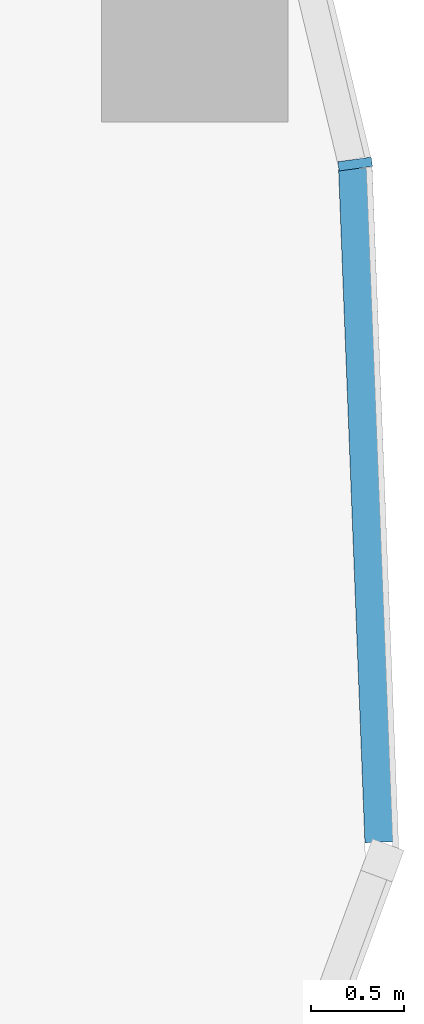
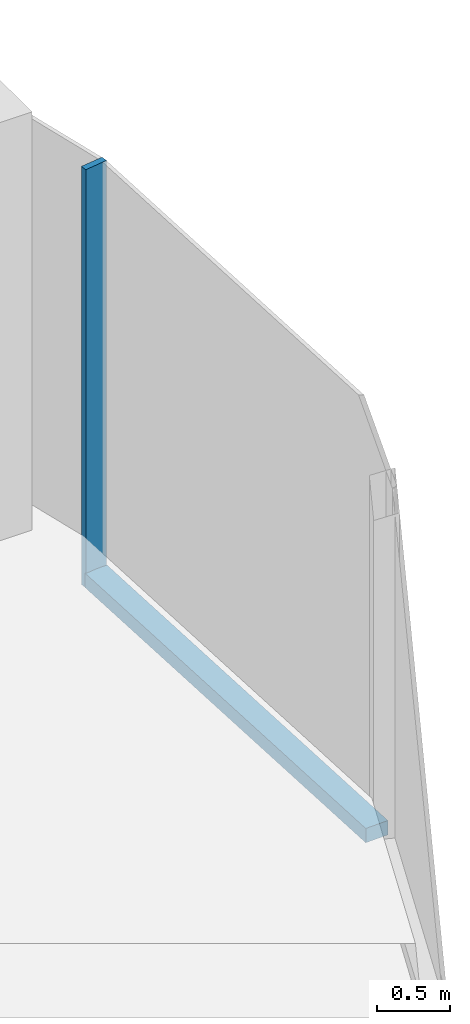
# One storey, part 7 of 25: 2 members, 1 element without a shape of its own.
"""IFC4 building model written with IfcOpenShell, lengths in metres."""

import ifcopenshell
import ifcopenshell.guid

model = None  # the IFC model being written
_history = None  # IfcOwnerHistory: only IFC2X3 demands one
_inside = {}  # id of a spatial element -> (the spatial element, [elements in it])
_under = {}  # id of a project, library or spatial element -> (it, [spatial elements below it])
_declared = {}  # id of a project -> (the project, [libraries it declares])
_typed = {}  # id of a type object -> (the type object, [elements of that type])
_made_of = {}  # id of a material, layer set ... -> (it, [elements and type objects made of it])


def new_model(schema):
    """Start an empty IFC model of exactly this schema.

    Asked for "IFC4X3", IfcOpenShell would pick the latest addendum, in which some entities
    have other attributes; the version numbers below select the first issue.
    IFC2X3 requires an IfcOwnerHistory on every rooted entity: one is made here for all.
    """
    global model, _history
    if schema == "IFC4X3":
        model = ifcopenshell.file(schema_version=(4, 3, 0, 0))
    else:
        model = ifcopenshell.file(schema=schema)
    _inside.clear()
    _under.clear()
    _declared.clear()
    _typed.clear()
    _made_of.clear()
    _history = None
    if model.schema == "IFC2X3":
        org = make("IfcOrganization", Name="unknown")
        user = make(
            "IfcPersonAndOrganization",
            ThePerson=make("IfcPerson", FamilyName="unknown"),
            TheOrganization=org,
        )
        app = make(
            "IfcApplication",
            ApplicationDeveloper=org,
            Version="unknown",
            ApplicationFullName="unknown",
            ApplicationIdentifier="unknown",
        )
        _history = make(
            "IfcOwnerHistory",
            OwningUser=user,
            OwningApplication=app,
            ChangeAction="ADDED",
            CreationDate=0,
        )
    return model


def make(cls, **values):
    """One entity of the class cls with the attributes given. An attribute that is None is left unset."""
    return model.create_entity(
        cls, **{name: value for name, value in values.items() if value is not None}
    )


def rooted(cls, **values):
    """An entity with a GlobalId (a new one), such as an element, a storey or a relation."""
    return make(cls, GlobalId=ifcopenshell.guid.new(), OwnerHistory=_history, **values)


def si_unit(unit_type, name, prefix=None):
    """IfcSIUnit, for example si_unit("LENGTHUNIT", "METRE", prefix="MILLI")."""
    return make("IfcSIUnit", UnitType=unit_type, Prefix=prefix, Name=name)


def assignment(units):
    """IfcUnitAssignment: the units of a project."""
    return None if units is None else make("IfcUnitAssignment", Units=units)


def point(xyz):
    """IfcCartesianPoint."""
    return None if xyz is None else make("IfcCartesianPoint", Coordinates=xyz)


def direction(xyz):
    """IfcDirection."""
    return None if xyz is None else make("IfcDirection", DirectionRatios=xyz)


def frame(location, z_axis=None, x_axis=None):
    """IfcAxis2Placement3D, a coordinate frame: its origin and axes. An axis left out is left unset."""
    return make(
        "IfcAxis2Placement3D",
        Location=point(location),
        Axis=direction(z_axis),
        RefDirection=direction(x_axis),
    )


def frame_2d(location, x_axis=None):
    """IfcAxis2Placement2D, a coordinate frame in the plane: its origin and x axis."""
    return make(
        "IfcAxis2Placement2D", Location=point(location), RefDirection=direction(x_axis)
    )


def origin():
    """The frame at (0, 0, 0) with its axes left unset."""
    return frame((0.0, 0.0, 0.0))


def origin_2d():
    """The frame at (0, 0) in the plane with its x axis left unset."""
    return frame_2d((0.0, 0.0))


def place(relative_to, where):
    """IfcLocalPlacement: puts the frame where relative to a parent placement (None: the world)."""
    return make(
        "IfcLocalPlacement", PlacementRelTo=relative_to, RelativePlacement=where
    )


def context(
    kind, dimensions, precision=None, world=None, true_north=None, identifier=None
):
    """IfcGeometricRepresentationContext, for example the 3D "Model" context."""
    return make(
        "IfcGeometricRepresentationContext",
        ContextIdentifier=identifier,
        ContextType=kind,
        CoordinateSpaceDimension=dimensions,
        Precision=precision,
        WorldCoordinateSystem=world,
        TrueNorth=true_north,
    )


def subcontext(parent, identifier, kind, view, scale=None):
    """IfcGeometricRepresentationSubContext, for example "Body" below "Model"."""
    return make(
        "IfcGeometricRepresentationSubContext",
        ContextIdentifier=identifier,
        ContextType=kind,
        ParentContext=parent,
        TargetScale=scale,
        TargetView=view,
    )


def project(units=None, contexts=None):
    """IfcProject with its units and contexts."""
    return rooted(
        "IfcProject",
        Name="project",
        RepresentationContexts=contexts,
        UnitsInContext=assignment(units),
    )


def spatial(cls, under=None, at=None, **own):
    """A site, building, storey or space (cls), placed at a placement, below another one or the project."""
    s = rooted(cls, ObjectPlacement=at, **own)
    if under is not None:
        _under.setdefault(under.id(), (under, []))[1].append(s)
    return s


def profile(cls, at=None, kind="AREA", **sizes):
    """A parametric profile (cls). Its sizes go by their IFC names, for example OverallWidth=200.0."""
    return make(cls, ProfileType=kind, Position=at, **sizes)


def rectangle(**sizes):
    """IfcRectangleProfileDef."""
    return profile("IfcRectangleProfileDef", **sizes)


def extrude(swept, where, along, depth):
    """IfcExtrudedAreaSolid: the profile swept, set in the frame where, extruded along a direction by depth."""
    return make(
        "IfcExtrudedAreaSolid",
        SweptArea=swept,
        Position=where,
        ExtrudedDirection=direction(along),
        Depth=depth,
    )


def shape(context_of_items, identifier, shape_type, items):
    """IfcShapeRepresentation: the items that make up one representation, for example the "Body"."""
    return make(
        "IfcShapeRepresentation",
        ContextOfItems=context_of_items,
        RepresentationIdentifier=identifier,
        RepresentationType=shape_type,
        Items=items,
    )


def material(Name=None, Category=None):
    """IfcMaterial."""
    return make("IfcMaterial", Name=Name, Category=Category)


def material_profile(
    of_material, cross_section, Name=None, Category=None, Priority=None
):
    """IfcMaterialProfile: a cross section and its material."""
    return make(
        "IfcMaterialProfile",
        Name=Name,
        Material=of_material,
        Profile=cross_section,
        Priority=Priority,
        Category=Category,
    )


def profile_set(profiles, Name=None, composite=None):
    """IfcMaterialProfileSet."""
    return make(
        "IfcMaterialProfileSet",
        Name=Name,
        MaterialProfiles=profiles,
        CompositeProfile=composite,
    )


def made_of(thing, what):
    """Note that an element or type object is made of a material, layer set ...; save() writes the relation."""
    if what is not None:
        _made_of.setdefault(what.id(), (what, []))[1].append(thing)
    return thing


def type_object(cls, material=None, **own):
    """A type object (cls), such as IfcWallType, which elements share."""
    return made_of(rooted(cls, **own), material)


def element(
    cls,
    number,
    at=None,
    inside=None,
    cuts=None,
    type_object=None,
    material=None,
    context=None,
    identifier="Body",
    shape_type=None,
    held_by="IfcProductDefinitionShape",
    body=None,
    shapes=None,
    **own,
):
    """One element of the class cls, such as IfcWall. Its Tag is "e" and its number.

    at: its placement. inside: the storey or other place that contains it. cuts: it is an
    opening in that element (IfcRelVoidsElement). A single representation is given by context,
    identifier, shape_type and body (its items); several are given by shapes. held_by: the class
    of the entity that holds the representations. save() writes the other relations.
    """
    e = rooted(cls, Tag="e%d" % number, ObjectPlacement=at, **own)
    if body is not None:
        shapes = [shape(context, identifier, shape_type, body)]
    if shapes is not None:
        e.Representation = make(held_by, Representations=shapes)
    if inside is not None:
        _inside.setdefault(inside.id(), (inside, []))[1].append(e)
    if cuts is not None:
        rooted(
            "IfcRelVoidsElement", RelatingBuildingElement=cuts, RelatedOpeningElement=e
        )
    if type_object is not None:
        _typed.setdefault(type_object.id(), (type_object, []))[1].append(e)
    return made_of(e, material)


def aggregate(whole, parts):
    """IfcRelAggregates: a whole, such as a stair, and the parts it consists of."""
    return rooted("IfcRelAggregates", RelatingObject=whole, RelatedObjects=parts)


def save(model, path):
    """Write the relations noted so far, then the file.

    IfcRelAggregates (storeys below a building ...), IfcRelContainedInSpatialStructure (elements
    in a storey), IfcRelDefinesByType, IfcRelAssociatesMaterial and IfcRelDeclares: one each for
    every whole, place, type object, material and project.
    """
    for whole, parts in _under.values():
        aggregate(whole, parts)
    for where, things in _inside.values():
        rooted(
            "IfcRelContainedInSpatialStructure",
            RelatedElements=things,
            RelatingStructure=where,
        )
    for kind, things in _typed.values():
        rooted("IfcRelDefinesByType", RelatedObjects=things, RelatingType=kind)
    for what, things in _made_of.values():
        rooted("IfcRelAssociatesMaterial", RelatedObjects=things, RelatingMaterial=what)
    for by, libraries in _declared.values():
        rooted("IfcRelDeclares", RelatingContext=by, RelatedDefinitions=libraries)
    model.write(path)


model = new_model("IFC4")

# Units and contexts
model_context = context("Model", 3, precision=1e-05, world=origin(), true_north=direction((0.0, 1.0)))
body_context = subcontext(model_context, "Body", "Model", "MODEL_VIEW")
ifc_project = project(units=[si_unit("LENGTHUNIT", "METRE"), si_unit("AREAUNIT", "SQUARE_METRE"), si_unit("VOLUMEUNIT", "CUBIC_METRE"), si_unit("PLANEANGLEUNIT", "RADIAN"), si_unit("MASSUNIT", "GRAM", prefix="KILO")], contexts=[model_context])

# Site, building, storey
site_placement = place(None, origin())
site = spatial("IfcSite", under=ifc_project, at=site_placement, CompositionType="ELEMENT")
building_placement = place(site_placement, origin())
building = spatial("IfcBuilding", under=site, at=building_placement, Name="Orlundy Tower", CompositionType="ELEMENT")
storey_placement = place(building_placement, frame((0.0, 0.0, 217.5)))
storey = spatial("IfcBuildingStorey", under=building, at=storey_placement, Name="L57", CompositionType="ELEMENT", Elevation=217.5)

# Curtain wall, members
ifc_material_1 = material(Name="Aluminium bronze anodised", Category="aluminium")
curtain_wall_type = type_object("IfcCurtainWallType", Name="CW1 wall", PredefinedType="NOTDEFINED", material=ifc_material_1)
curtain_wall_placement = place(storey_placement, origin())
curtain_wall = element("IfcCurtainWall", 1, at=curtain_wall_placement, inside=storey, type_object=curtain_wall_type, Name="CW1 run 012", PredefinedType="NOTDEFINED")
ifc_material_2 = material(Name="Aluminium bronze anodised", Category="aluminium")
ifc_material_profile_1 = material_profile(ifc_material_2, rectangle(XDim=0.179931640625, YDim=0.050048828125, at=origin_2d()), Name="CW1 mullion 50x180")
ifc_profile_set_1 = profile_set([ifc_material_profile_1], Name="Aluminium bronze anodised")
member_type_1 = type_object("IfcMemberType", Name="CW1 mullion 50x180", PredefinedType="MULLION", material=ifc_profile_set_1)
member_1_placement = place(storey_placement, frame((40.949462890625, -0.9765625, -0.419921875), z_axis=(0.0, 0.0, 1.0), x_axis=(0.990577259455, 0.136955076761, 0.0)))
member_1 = element("IfcMember", 2, at=member_1_placement, type_object=member_type_1, Name="CW1 mullion 32", PredefinedType="MULLION", context=body_context, shape_type="SweptSolid", body=[
    extrude(rectangle(XDim=0.179931640625, YDim=0.050048828125, at=origin_2d()), origin(), (0.0, 0.0, 1.0), 3.5),
])
ifc_material_3 = material(Name="Aluminium bronze anodised", Category="aluminium")
ifc_material_profile_2 = material_profile(ifc_material_3, rectangle(XDim=0.179931640625, YDim=0.1201171875, at=origin_2d()), Name="CW1 transom 180x120")
ifc_profile_set_2 = profile_set([ifc_material_profile_2], Name="Aluminium bronze anodised")
member_type_2 = type_object("IfcMemberType", Name="CW1 transom 180x120", PredefinedType="USERDEFINED", material=ifc_profile_set_2)
member_2_placement = place(storey_placement, frame((40.95068359375, -1.001708984375, -0.360107421875), z_axis=(0.03907703141, -0.999236201114, 0.0), x_axis=(0.999236201114, 0.03907703141, 0.0)))
member_2 = element("IfcMember", 3, at=member_2_placement, type_object=member_type_2, Name="CW1 transom", ObjectType="TRANSOM", PredefinedType="USERDEFINED", context=body_context, shape_type="SweptSolid", body=[
    extrude(rectangle(XDim=0.179931640625, YDim=0.1201171875, at=origin_2d()), origin(), (0.0, 0.0, 1.0), 3.611083984375),
])
aggregate(curtain_wall, [member_1, member_2])

save(model, "model.ifc")
